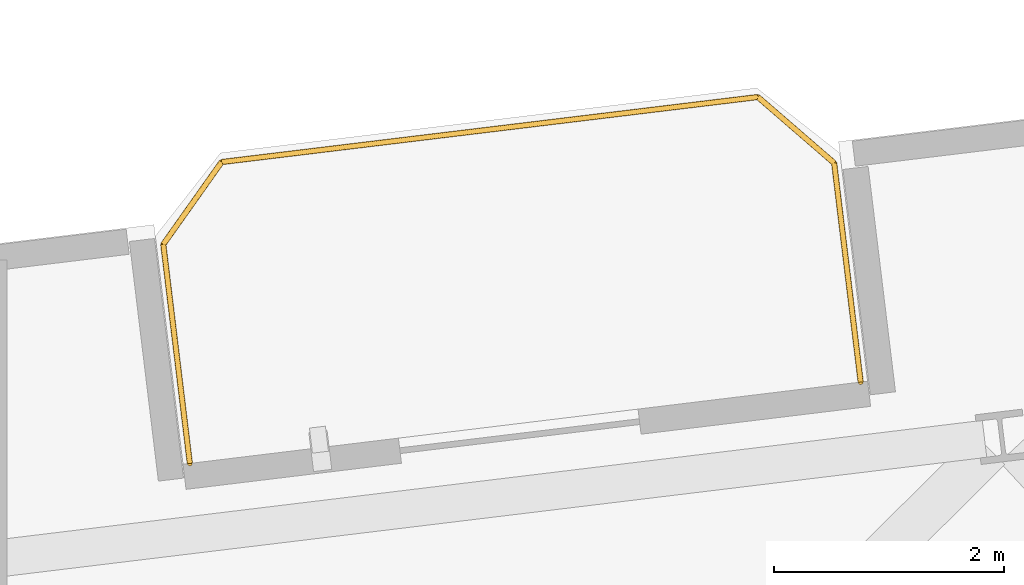
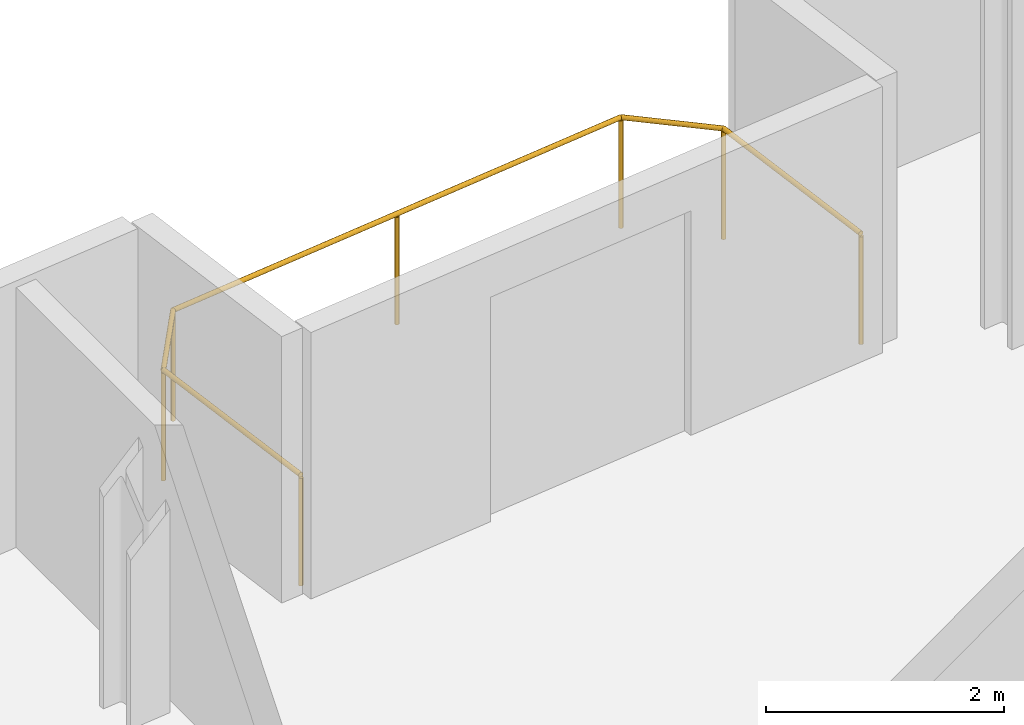
# One storey, part 23 of 23: 1 railing.
"""IFC4 building model written with IfcOpenShell, lengths in metres."""

from ifc_helpers import new_model, si_unit, direction, frame, origin, origin_2d, place, context, subcontext, project, spatial, circle, extrude, material, type_object, element, save


model = new_model("IFC4")

# Units and contexts
model_context = context("Model", 3, precision=1e-05, world=origin(), true_north=direction((0.0, 1.0)))
body_context = subcontext(model_context, "Body", "Model", "MODEL_VIEW")
ifc_project = project(units=[si_unit("LENGTHUNIT", "METRE"), si_unit("AREAUNIT", "SQUARE_METRE"), si_unit("VOLUMEUNIT", "CUBIC_METRE"), si_unit("PLANEANGLEUNIT", "RADIAN"), si_unit("MASSUNIT", "GRAM", prefix="KILO")], contexts=[model_context])

# Site, building, storey
site_placement = place(None, origin())
site = spatial("IfcSite", under=ifc_project, at=site_placement, CompositionType="ELEMENT")
building_placement = place(site_placement, origin())
building = spatial("IfcBuilding", under=site, at=building_placement, Name="Varnelok Gate Tower", CompositionType="ELEMENT")
storey_placement = place(building_placement, frame((0.0, 0.0, 170.89990234375)))
storey = spatial("IfcBuildingStorey", under=building, at=storey_placement, Name="L43", CompositionType="ELEMENT", Elevation=170.89990234375)

# Railing
ifc_material = material(Name="Low-E Laminated Double Glazing IGU", Category="glass")
railing_type = type_object("IfcRailingType", Name="RL-BALC-1150", PredefinedType="BALUSTRADE", material=ifc_material)
railing_placement = place(storey_placement, frame((48.19384765625, 46.335205078125, 0.0)))
element("IfcRailing", 1, at=railing_placement, inside=storey, type_object=railing_type, Name="L43 North Terrace Balustrade 6", PredefinedType="BALUSTRADE", context=body_context, shape_type="SweptSolid", body=[
    extrude(circle(Radius=0.02392578125, at=origin_2d()), frame((0.0, 0.0, 1.1259765625), z_axis=(-0.120293392036, 0.992738384386, 0.0), x_axis=(-0.992738384386, -0.120293392036, 0.0)), (0.0, 0.0, 1.0), 1.919921875),
    extrude(circle(Radius=0.02392578125, at=origin_2d()), frame((-0.23095703125, 1.906005859375, 1.1259765625), z_axis=(0.577971037086, 0.816057277579, 0.0), x_axis=(-0.816057277579, 0.577971037086, 0.0)), (0.0, 0.0, 1.0), 0.877685546875),
    extrude(circle(Radius=0.02392578125, at=origin_2d()), frame((0.2763671875, 2.622314453125, 1.1259765625), z_axis=(0.99273133746, 0.120351533534, 0.0), x_axis=(-0.120351533534, 0.99273133746, 0.0)), (0.0, 0.0, 1.0), 4.7001953125),
    extrude(circle(Radius=0.02392578125, at=origin_2d()), frame((4.9423828125, 3.18798828125, 1.1259765625), z_axis=(0.756303655992, -0.654220742513, 0.0), x_axis=(0.654220742513, 0.756303655992, 0.0)), (0.0, 0.0, 1.0), 0.877685546875),
    extrude(circle(Radius=0.02392578125, at=origin_2d()), frame((5.606201171875, 2.61376953125, 1.1259765625), z_axis=(0.120293392036, -0.992738384386, 0.0), x_axis=(0.992738384386, 0.120293392036, 0.0)), (0.0, 0.0, 1.0), 1.919921875),
    extrude(circle(Radius=0.02099609375, at=origin_2d()), origin(), (0.0, 0.0, 1.0), 1.101806640625),
    extrude(circle(Radius=0.02099609375, at=origin_2d()), frame((-0.23095703125, 1.906005859375, 0.0)), (0.0, 0.0, 1.0), 1.101806640625),
    extrude(circle(Radius=0.02099609375, at=origin_2d()), frame((0.2763671875, 2.622314453125, 0.0)), (0.0, 0.0, 1.0), 1.101806640625),
    extrude(circle(Radius=0.02099609375, at=origin_2d()), frame((2.609375, 2.9052734375, 0.0)), (0.0, 0.0, 1.0), 1.101806640625),
    extrude(circle(Radius=0.02099609375, at=origin_2d()), frame((4.9423828125, 3.18798828125, 0.0)), (0.0, 0.0, 1.0), 1.101806640625),
    extrude(circle(Radius=0.02099609375, at=origin_2d()), frame((5.606201171875, 2.61376953125, 0.0)), (0.0, 0.0, 1.0), 1.101806640625),
    extrude(circle(Radius=0.02099609375, at=origin_2d()), frame((5.837158203125, 0.707763671875, 0.0)), (0.0, 0.0, 1.0), 1.101806640625),
])

save(model, "model.ifc")
